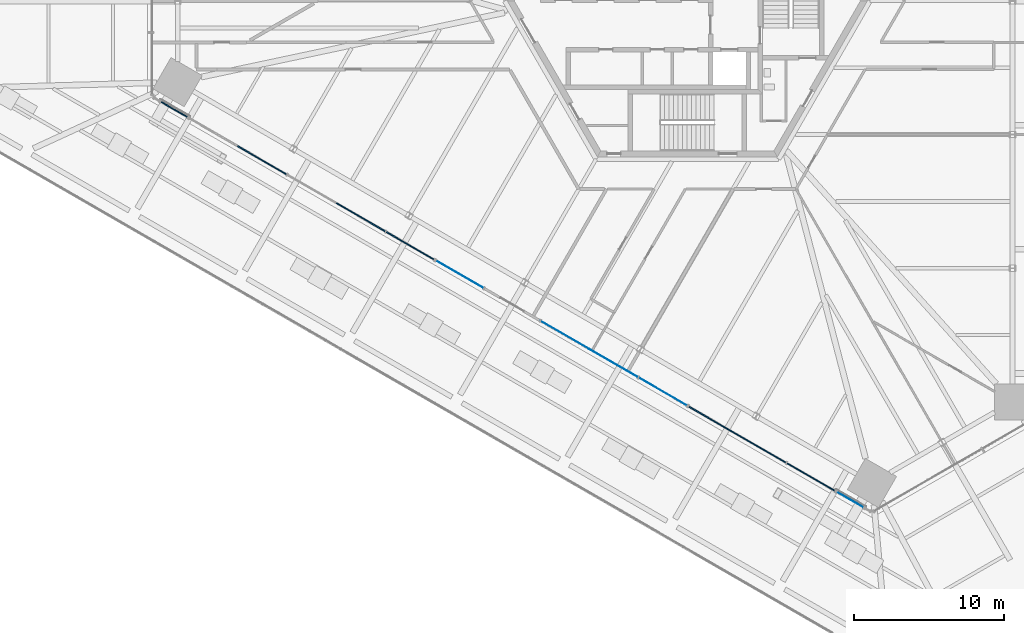
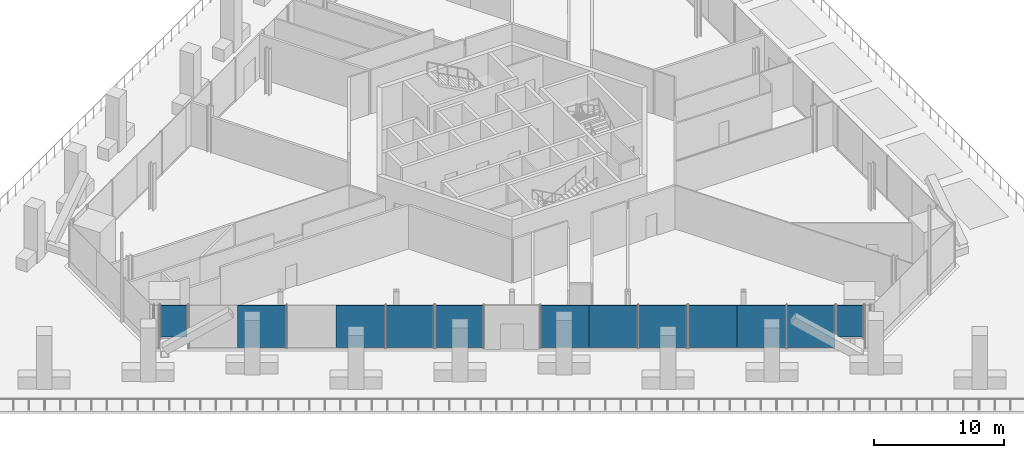
# One storey, part 20 of 38: 12 plates, 6 elements without a shape of their own.
"""IFC4 building model written with IfcOpenShell, lengths in metres."""

from ifc_helpers import new_model, si_unit, direction, frame, origin, origin_2d, place, context, subcontext, project, spatial, rectangle, extrude, source, transform, mapped, material, layer, layer_set, type_object, element, aggregate, save


model = new_model("IFC4")

# Units and contexts
model_context = context("Model", 3, precision=1e-05, world=origin(), true_north=direction((0.0, 1.0)))
body_context = subcontext(model_context, "Body", "Model", "MODEL_VIEW")
ifc_project = project(units=[si_unit("LENGTHUNIT", "METRE"), si_unit("AREAUNIT", "SQUARE_METRE"), si_unit("VOLUMEUNIT", "CUBIC_METRE"), si_unit("PLANEANGLEUNIT", "RADIAN"), si_unit("MASSUNIT", "GRAM", prefix="KILO")], contexts=[model_context])

# Site, building, storey
site_placement = place(None, origin())
site = spatial("IfcSite", under=ifc_project, at=site_placement, CompositionType="ELEMENT")
building_placement = place(site_placement, origin())
building = spatial("IfcBuilding", under=site, at=building_placement, Name="Triune Harvest Tower", CompositionType="ELEMENT")
storey_placement = place(building_placement, frame((0.0, 0.0, 16.0)))
storey = spatial("IfcBuildingStorey", under=building, at=storey_placement, Name="L03", CompositionType="ELEMENT", Elevation=16.0)

# Curtain wall, plates
ifc_material_1 = material(Name="Aluminium bronze anodised", Category="aluminium")
curtain_wall_type_1 = type_object("IfcCurtainWallType", Name="CW-6 Balcony window wall", PredefinedType="NOTDEFINED", material=ifc_material_1)
curtain_wall_1_placement = place(storey_placement, origin())
curtain_wall_1 = element("IfcCurtainWall", 1, at=curtain_wall_1_placement, inside=storey, type_object=curtain_wall_type_1, Name="CW-6 B1-F5 L03 run 2")
ifc_material_2 = material(Name="Glass", Category="glass")
ifc_layer_1 = layer(ifc_material_2, 0.030029296875)
ifc_layer_set_1 = layer_set([ifc_layer_1], Name="Glass")
plate_type_1 = type_object("IfcPlateType", Name="GL-6 panel 30", PredefinedType="CURTAIN_PANEL", material=ifc_layer_set_1)
plate_1_placement = place(storey_placement, frame((-8.162841796875, -22.274169921875, 0.14990234375), z_axis=(0.0, 0.0, 1.0), x_axis=(0.866027311118, -0.499996696388, 0.0)))
plate_1 = element("IfcPlate", 2, at=plate_1_placement, type_object=plate_type_1, Name="CW-6 panel B1-F5 2.1", PredefinedType="CURTAIN_PANEL", context=body_context, shape_type="SweptSolid", body=[
    extrude(rectangle(XDim=3.72314453125, YDim=0.030029296875, at=origin_2d()), origin(), (0.0, 0.0, 1.0), 3.949951171875),
])
plate_2_placement = place(storey_placement, frame((-4.922119140625, -24.14501953125, 0.14990234375), z_axis=(0.0, 0.0, 1.0), x_axis=(0.866027311118, -0.499996696388, 0.0)))
plate_2 = element("IfcPlate", 3, at=plate_2_placement, type_object=plate_type_1, Name="CW-6 panel B1-F5 2.2", PredefinedType="CURTAIN_PANEL", context=body_context, shape_type="SweptSolid", body=[
    extrude(rectangle(XDim=3.7607421875, YDim=0.030029296875, at=origin_2d()), origin(), (0.0, 0.0, 1.0), 3.949951171875),
])
plate_3_placement = place(storey_placement, frame((-1.6328125, -26.044189453125, 0.14990234375), z_axis=(0.0, 0.0, 1.0), x_axis=(0.866027311118, -0.499996696388, 0.0)))
plate_3 = element("IfcPlate", 4, at=plate_3_placement, type_object=plate_type_1, Name="CW-6 panel B1-F5 2.3", PredefinedType="CURTAIN_PANEL", context=body_context, shape_type="SweptSolid", body=[
    extrude(rectangle(XDim=3.685791015625, YDim=0.030029296875, at=origin_2d()), origin(), (0.0, 0.0, 1.0), 3.949951171875),
])
aggregate(curtain_wall_1, [plate_1, plate_2, plate_3])

# Curtain wall, plate
ifc_material_3 = material(Name="Aluminium bronze anodised", Category="aluminium")
curtain_wall_type_2 = type_object("IfcCurtainWallType", Name="CW-10 Balcony window wall with insulated spandrel infill", PredefinedType="NOTDEFINED", material=ifc_material_3)
curtain_wall_2_placement = place(storey_placement, origin())
curtain_wall_2 = element("IfcCurtainWall", 5, at=curtain_wall_2_placement, inside=storey, type_object=curtain_wall_type_2, Name="CW-10 B1-F5 L03 run 1002")
ifc_material_4 = material(Name="Insulated spandrel panel, bronze aluminium pan", Category="aluminium")
ifc_layer_2 = layer(ifc_material_4, 0.080078125)
ifc_layer_set_2 = layer_set([ifc_layer_2], Name="Insulated spandrel panel, bronze aluminium pan")
plate_type_2 = type_object("IfcPlateType", Name="SP-1 insulated spandrel panel 80", PredefinedType="CURTAIN_PANEL", material=ifc_layer_set_2)
shared_shape_1 = source(origin(), body_context, "Body", "SweptSolid", [
    extrude(rectangle(XDim=3.72314453125, YDim=0.080078125, at=origin_2d()), origin(), (0.0, 0.0, 1.0), 3.949951171875),
])
plate_4_placement = place(storey_placement, frame((1.705322265625, -27.971435546875, 0.14990234375), z_axis=(0.0, 0.0, 1.0), x_axis=(0.866021316945, -0.500007078547, 0.0)))
plate_4 = element("IfcPlate", 6, at=plate_4_placement, type_object=plate_type_2, Name="CW-10 panel B1-F5 1002.1", PredefinedType="CURTAIN_PANEL", context=body_context, shape_type="MappedRepresentation", body=[
    mapped(shared_shape_1, transform((0.0, 0.0, 0.0), scale=1.0)),
])

# Curtain wall, plates
curtain_wall_3_placement = place(storey_placement, origin())
curtain_wall_3 = element("IfcCurtainWall", 7, at=curtain_wall_3_placement, inside=storey, type_object=curtain_wall_type_2, Name="CW-10 B1-F5 L03 run 201")
shared_shape_2 = source(origin(), body_context, "Body", "SweptSolid", [
    extrude(rectangle(XDim=3.7607421875, YDim=0.080078125, at=origin_2d()), origin(), (0.0, 0.0, 1.0), 3.949951171875),
])
plate_5_placement = place(storey_placement, frame((-28.349853515625, -10.619140625, 0.14990234375), z_axis=(0.0, 0.0, 1.0), x_axis=(0.866023275828, -0.500003685711, 0.0)))
plate_5 = element("IfcPlate", 8, at=plate_5_placement, type_object=plate_type_2, Name="CW-10 panel B1-F5 201.2", PredefinedType="CURTAIN_PANEL", context=body_context, shape_type="MappedRepresentation", body=[
    mapped(shared_shape_2, transform((0.0, 0.0, 0.0), scale=1.0)),
])
plate_6_placement = place(storey_placement, frame((-21.771240234375, -14.41748046875, 0.14990234375), z_axis=(0.0, 0.0, 1.0), x_axis=(0.866023275828, -0.500003685711, 0.0)))
plate_6 = element("IfcPlate", 9, at=plate_6_placement, type_object=plate_type_2, Name="CW-10 panel B1-F5 201.4", PredefinedType="CURTAIN_PANEL", context=body_context, shape_type="MappedRepresentation", body=[
    mapped(shared_shape_2, transform((0.0, 0.0, 0.0), scale=1.0)),
])

# Plate
plate_7_placement = place(storey_placement, frame((4.946044921875, -29.842529296875, 0.14990234375), z_axis=(0.0, 0.0, 1.0), x_axis=(0.866021316945, -0.500007078547, 0.0)))
plate_7 = element("IfcPlate", 10, at=plate_7_placement, type_object=plate_type_2, Name="CW-10 panel B1-F5 1002.2", PredefinedType="CURTAIN_PANEL", context=body_context, shape_type="MappedRepresentation", body=[
    mapped(shared_shape_2, transform((0.0, 0.0, 0.0), scale=1.0)),
])

shared_shape_3 = source(origin(), body_context, "Body", "SweptSolid", [
    extrude(rectangle(XDim=3.685791015625, YDim=0.080078125, at=origin_2d()), origin(), (0.0, 0.0, 1.0), 3.949951171875),
])
plate_8_placement = place(storey_placement, frame((-18.481689453125, -16.316650390625, 0.14990234375), z_axis=(0.0, 0.0, 1.0), x_axis=(0.866023275828, -0.500003685711, 0.0)))
plate_8 = element("IfcPlate", 11, at=plate_8_placement, type_object=plate_type_2, Name="CW-10 panel B1-F5 201.5", PredefinedType="CURTAIN_PANEL", context=body_context, shape_type="MappedRepresentation", body=[
    mapped(shared_shape_3, transform((0.0, 0.0, 0.0), scale=1.0)),
])

aggregate(curtain_wall_3, [plate_5, plate_6, plate_8])

plate_9_placement = place(storey_placement, frame((8.2353515625, -31.741455078125, 0.14990234375), z_axis=(0.0, 0.0, 1.0), x_axis=(0.866021316945, -0.500007078547, 0.0)))
plate_9 = element("IfcPlate", 12, at=plate_9_placement, type_object=plate_type_2, Name="CW-10 panel B1-F5 1002.3", PredefinedType="CURTAIN_PANEL", context=body_context, shape_type="MappedRepresentation", body=[
    mapped(shared_shape_3, transform((0.0, 0.0, 0.0), scale=1.0)),
])

aggregate(curtain_wall_2, [plate_4, plate_7, plate_9])

# Curtain wall, plate
curtain_wall_4_placement = place(storey_placement, origin())
curtain_wall_4 = element("IfcCurtainWall", 13, at=curtain_wall_4_placement, inside=storey, type_object=curtain_wall_type_1, Name="CW-6 B1-F5 L03 run 1201")
shared_shape_4 = source(origin(), body_context, "Body", "SweptSolid", [
    extrude(rectangle(XDim=3.648193359375, YDim=0.030029296875, at=origin_2d()), origin(), (0.0, 0.0, 1.0), 3.949951171875),
])
plate_10_placement = place(storey_placement, frame((-15.17626953125, -18.22509765625, 0.14990234375), z_axis=(0.0, 0.0, 1.0), x_axis=(0.86602950507, -0.499992896298, 0.0)))
plate_10 = element("IfcPlate", 14, at=plate_10_placement, type_object=plate_type_1, Name="CW-6 panel B1-F5 1201.1", PredefinedType="CURTAIN_PANEL", context=body_context, shape_type="MappedRepresentation", body=[
    mapped(shared_shape_4, transform((0.0, 0.0, 0.0), scale=1.0)),
])
aggregate(curtain_wall_4, [plate_10])

curtain_wall_5_placement = place(storey_placement, origin())
curtain_wall_5 = element("IfcCurtainWall", 15, at=curtain_wall_5_placement, inside=storey, type_object=curtain_wall_type_2, Name="CW-10 B1-F5 L03 run 101")
shared_shape_5 = source(origin(), body_context, "Body", "SweptSolid", [
    extrude(rectangle(XDim=2.04443359375, YDim=0.080078125, at=origin_2d()), origin(), (0.0, 0.0, 1.0), 2.965087890625),
])
plate_11_placement = place(storey_placement, frame((-34.2177734375, -7.231201171875, 1.134765625), z_axis=(0.0, 0.0, 1.0), x_axis=(0.866024703584, -0.500001212781, 0.0)))
plate_11 = element("IfcPlate", 16, at=plate_11_placement, type_object=plate_type_2, Name="CW-10 panel B1-F5 101.1", PredefinedType="CURTAIN_PANEL", context=body_context, shape_type="MappedRepresentation", body=[
    mapped(shared_shape_5, transform((0.0, 0.0, 0.0), scale=1.0)),
])
aggregate(curtain_wall_5, [plate_11])

curtain_wall_6_placement = place(storey_placement, origin())
curtain_wall_6 = element("IfcCurtainWall", 17, at=curtain_wall_6_placement, inside=storey, type_object=curtain_wall_type_1, Name="CW-6 B1-F5 L03 run 102")
shared_shape_6 = source(origin(), body_context, "Body", "SweptSolid", [
    extrude(rectangle(XDim=2.04443359375, YDim=0.030029296875, at=origin_2d()), origin(), (0.0, 0.0, 1.0), 2.965087890625),
])
plate_12_placement = place(storey_placement, frame((10.846435546875, -33.2490234375, 1.134765625), z_axis=(0.0, 0.0, 1.0), x_axis=(0.866024703584, -0.500001212781, 0.0)))
plate_12 = element("IfcPlate", 18, at=plate_12_placement, type_object=plate_type_1, Name="CW-6 panel B1-F5 102.1", PredefinedType="CURTAIN_PANEL", context=body_context, shape_type="MappedRepresentation", body=[
    mapped(shared_shape_6, transform((0.0, 0.0, 0.0), scale=1.0)),
])
aggregate(curtain_wall_6, [plate_12])

save(model, "model.ifc")
